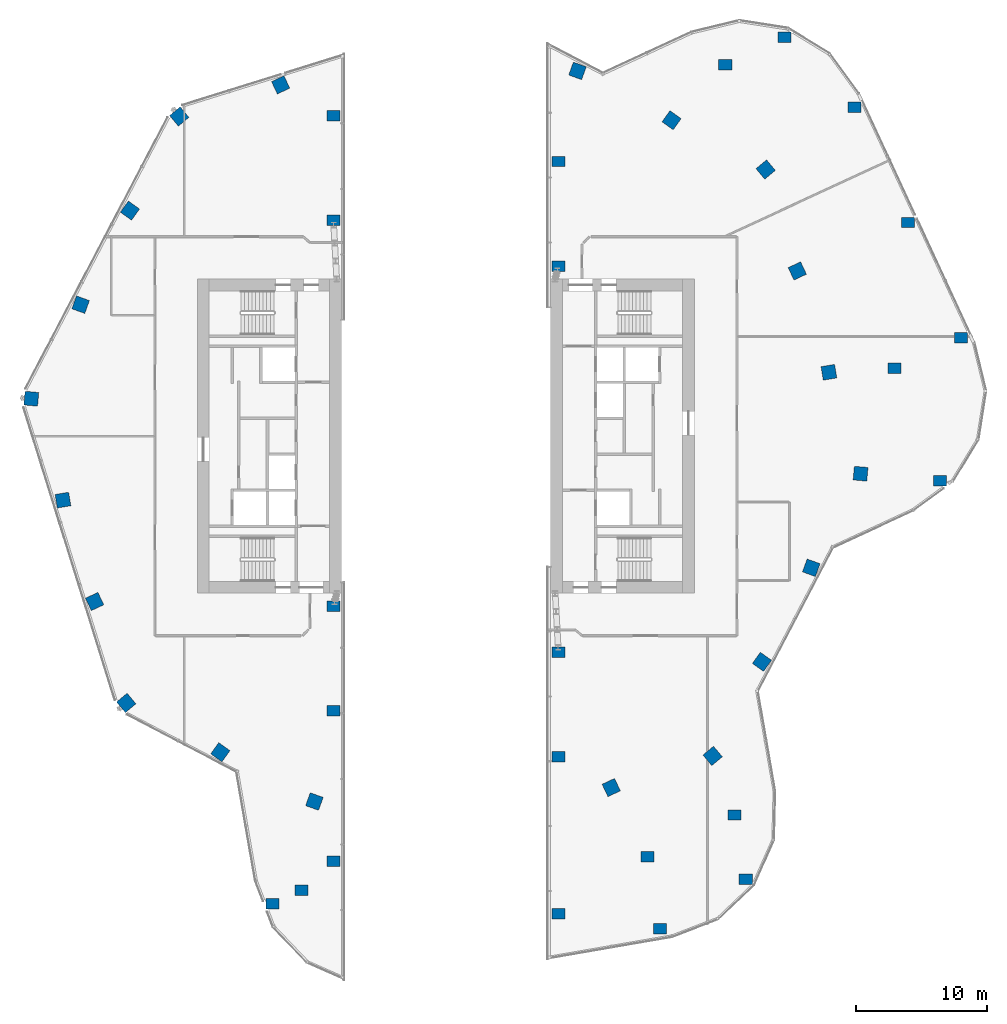
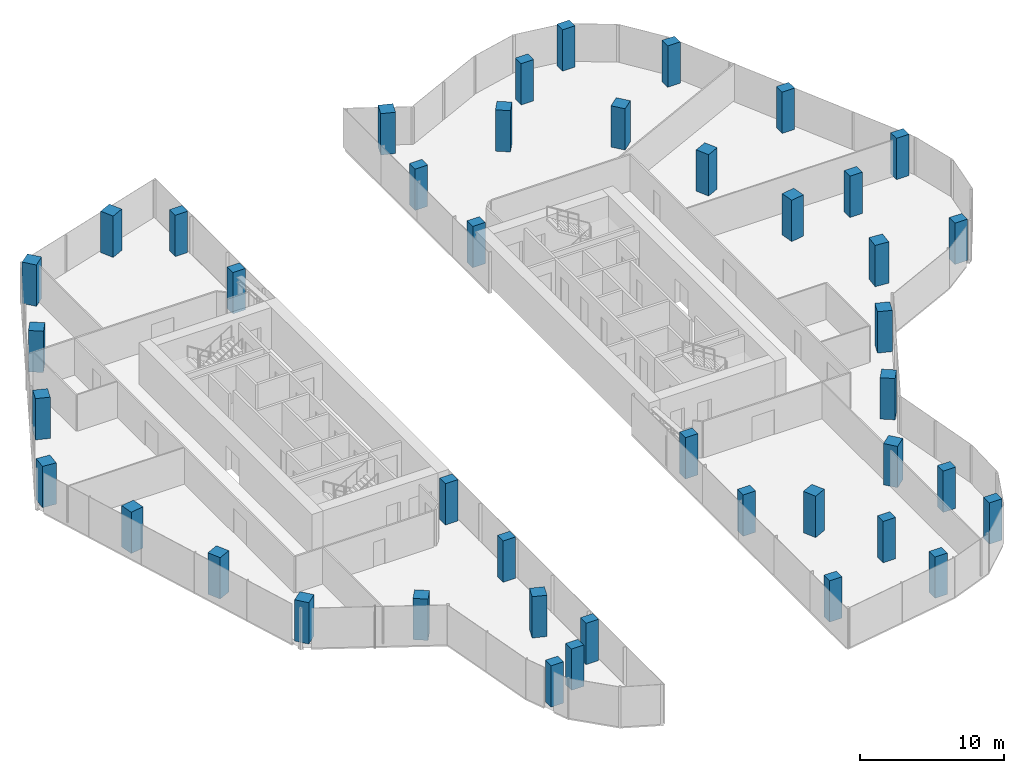
# One storey, part 1 of 23: 43 columns.
"""IFC4 building model written with IfcOpenShell, lengths in metres."""

from ifc_helpers import new_model, si_unit, direction, frame, origin, origin_2d, place, context, subcontext, project, spatial, rectangle, extrude, material, material_profile, profile_set, type_object, element, save


model = new_model("IFC4")

# Units and contexts
model_context = context("Model", 3, precision=1e-05, world=origin(), true_north=direction((0.0, 1.0)))
body_context = subcontext(model_context, "Body", "Model", "MODEL_VIEW")
ifc_project = project(units=[si_unit("LENGTHUNIT", "METRE"), si_unit("AREAUNIT", "SQUARE_METRE"), si_unit("VOLUMEUNIT", "CUBIC_METRE"), si_unit("PLANEANGLEUNIT", "RADIAN"), si_unit("MASSUNIT", "GRAM", prefix="KILO")], contexts=[model_context])

# Site, building, storey
site_placement = place(None, origin())
site = spatial("IfcSite", under=ifc_project, at=site_placement, CompositionType="ELEMENT")
building_placement = place(site_placement, origin())
building = spatial("IfcBuilding", under=site, at=building_placement, Name="Orlundy Tower", CompositionType="ELEMENT")
storey_placement = place(building_placement, frame((0.0, 0.0, 260.5)))
storey = spatial("IfcBuildingStorey", under=building, at=storey_placement, Name="L69", CompositionType="ELEMENT", Elevation=260.5)

# Columns
ifc_material_1 = material(Name="Concrete C60/75", Category="concrete")
ifc_material_profile_1 = material_profile(ifc_material_1, rectangle(XDim=1.0, YDim=0.800048828125, at=origin_2d()), Name="RC1000X800")
ifc_profile_set_1 = profile_set([ifc_material_profile_1], Name="Concrete C60/75")
column_type_1 = type_object("IfcColumnType", Name="RC COLUMN RC1000X800 C60/75", PredefinedType="COLUMN", material=ifc_profile_set_1)
for number, where, z_axis, x_axis, name in (
    (1, (37.758056640625, -3.389892578125, 0.0), (0.0, 0.0, 1.0), (1.0, 0.0, 0.0), "Column C-A1-1 L69"),
    (2, (39.376953125, 7.533935546875, 0.0), (0.0, 0.0, 1.0), (1.0, 0.0, 0.0), "Column C-A2-5 L69"),
    (3, (34.294921875, 5.181884765625, 0.0), (0.0, 0.0, 1.0), (1.0, 0.0, 0.0), "Column C-A2-6 L69"),
    (4, (35.302978515625, 16.3369140625, 0.0), (0.0, 0.0, 1.0), (1.0, 0.0, 0.0), "Column C-A3-5 L69"),
    (5, (31.22900390625, 25.139892578125, 0.0), (0.0, 0.0, 1.0), (1.0, 0.0, 0.0), "Column C-A4-5 L69"),
    (6, (25.885009765625, 30.48291015625, 0.0), (0.0, 0.0, 1.0), (1.0, 0.0, 0.0), "Column C-A5-5 L69"),
    (7, (21.346923828125, 28.383056640625, 0.0), (0.0, 0.0, 1.0), (1.0, 0.0, 0.0), "Column C-A5-6 L69"),
    (8, (-13.27392578125, -35.742919921875, 0.0), (0.0, 0.0, 1.0), (1.0, 0.0, 0.0), "Column C-B1-1 L69"),
    (9, (-11.031005859375, -34.68701171875, 0.0), (0.0, 0.0, 1.0), (1.0, 0.0, 0.0), "Column C-B1-6 L69"),
    (10, (16.3720703125, -37.656982421875, 0.0), (0.0, 0.0, 1.0), (1.0, 0.0, 0.0), "Column C-B4-5 L69"),
    (11, (15.4150390625, -32.138916015625, 0.0), (0.0, 0.0, 1.0), (1.0, 0.0, 0.0), "Column C-B4-6 L69"),
    (12, (22.916015625, -33.876953125, 0.0), (0.0, 0.0, 1.0), (1.0, 0.0, 0.0), "Column C-B5-5 L69"),
    (13, (22.06201171875, -28.950927734375, 0.0), (0.0, 0.0, 1.0), (1.0, 0.0, 0.0), "Column C-B5-6 L69"),
    (14, (8.60009765625, -36.5, 0.0), (0.0, 0.0, 1.0), (1.0, 0.0, 0.0), "Column C-SE1 L69"),
    (15, (8.60009765625, -24.5, 0.0), (0.0, 0.0, 1.0), (1.0, 0.0, 0.0), "Column C-SE2 L69"),
    (16, (8.60009765625, -16.5, 0.0), (0.0, 0.0, 1.0), (1.0, 0.0, 0.0), "Column C-SE3 L69"),
    (17, (8.60009765625, 13.0, 0.0), (0.0, 0.0, 1.0), (1.0, 0.0, 0.0), "Column C-SE4 L69"),
    (18, (8.60009765625, 21.0, 0.0), (0.0, 0.0, 1.0), (1.0, 0.0, 0.0), "Column C-SE5 L69"),
    (19, (-8.60009765625, 24.5, 0.0), (0.0, 0.0, 1.0), (1.0, 0.0, 0.0), "Column C-SW1 L69"),
    (20, (-8.60009765625, 16.5, 0.0), (0.0, 0.0, 1.0), (1.0, 0.0, 0.0), "Column C-SW2 L69"),
    (21, (-8.60009765625, -13.0, 0.0), (0.0, 0.0, 1.0), (1.0, 0.0, 0.0), "Column C-SW3 L69"),
    (22, (-8.60009765625, -21.0, 0.0), (0.0, 0.0, 1.0), (1.0, 0.0, 0.0), "Column C-SW4 L69"),
    (23, (-8.60009765625, -32.5, 0.0), (0.0, 0.0, 1.0), (1.0, 0.0, 0.0), "Column C-SW5 L69"),
):
    element("IfcColumn", number, at=place(storey_placement, frame(where, z_axis=z_axis, x_axis=x_axis)), inside=storey, type_object=column_type_1, Name=name, PredefinedType="COLUMN", context=body_context, shape_type="SweptSolid", body=[
        extrude(rectangle(XDim=1.0, YDim=0.800048828125, at=origin_2d()), origin(), (0.0, 0.0, 1.0), 3.5),
    ])
ifc_material_2 = material(Name="Concrete C60/75", Category="concrete")
ifc_material_profile_2 = material_profile(ifc_material_2, rectangle(XDim=1.050048828125, YDim=1.050048828125, at=origin_2d()), Name="RC1050X1050")
ifc_profile_set_2 = profile_set([ifc_material_profile_2], Name="Concrete C60/75")
column_type_2 = type_object("IfcColumnType", Name="RC COLUMN RC1050X1050 C60/75", PredefinedType="COLUMN", material=ifc_profile_set_2)
for number, where, z_axis, x_axis, name in (
    (24, (10.055908203125, 27.923095703125, 0.0), (0.0, 0.0, 1.0), (0.338836447191, 0.940845291243, 0.0), "Column C-H02 L69"),
    (25, (17.24609375, 24.154052734375, 0.0), (0.0, 0.0, 1.0), (0.581086534119, 0.813841778152, 0.0), "Column C-H03 L69"),
    (26, (24.43701171875, 20.384033203125, 0.0), (0.0, 0.0, 1.0), (0.767914719463, 0.640552092833, 0.0), "Column C-H04 L69"),
    (27, (26.85498046875, 12.634033203125, 0.0), (0.0, 0.0, 1.0), (0.904864205273, 0.425700328888, 0.0), "Column C-H05 L69"),
    (28, (29.27392578125, 4.884033203125, 0.0), (0.0, 0.0, 1.0), (0.986366141238, 0.1645655961, 0.0), "Column C-H06 L69"),
    (29, (31.693115234375, -2.865966796875, 0.0), (0.0, 0.0, 1.0), (0.99593643405, -0.09005897696, 0.0), "Column C-H07 L69"),
    (30, (27.923095703125, -10.055908203125, 0.0), (0.0, 0.0, 1.0), (0.940845291243, -0.338836447191, 0.0), "Column C-H08 L69"),
    (31, (24.154052734375, -17.24609375, 0.0), (0.0, 0.0, 1.0), (0.813841778152, -0.581086534119, 0.0), "Column C-H09 L69"),
    (32, (20.384033203125, -24.43701171875, 0.0), (0.0, 0.0, 1.0), (0.640552092833, -0.767914719463, 0.0), "Column C-H10 L69"),
    (33, (12.634033203125, -26.85498046875, 0.0), (0.0, 0.0, 1.0), (0.425700328888, -0.904864205273, 0.0), "Column C-H11 L69"),
    (34, (-10.055908203125, -27.923095703125, 0.0), (0.0, 0.0, 1.0), (-0.338836447191, -0.940845291243, 0.0), "Column C-H14 L69"),
    (35, (-17.24609375, -24.154052734375, 0.0), (0.0, 0.0, 1.0), (-0.581086534119, -0.813841778152, 0.0), "Column C-H15 L69"),
    (36, (-24.43701171875, -20.384033203125, 0.0), (0.0, 0.0, 1.0), (-0.767914719463, -0.640552092833, 0.0), "Column C-H16 L69"),
    (37, (-26.85498046875, -12.634033203125, 0.0), (0.0, 0.0, 1.0), (-0.904864205273, -0.425700328888, 0.0), "Column C-H17 L69"),
    (38, (-29.27392578125, -4.884033203125, 0.0), (0.0, 0.0, 1.0), (-0.986366141238, -0.1645655961, 0.0), "Column C-H18 L69"),
    (39, (-31.693115234375, 2.865966796875, 0.0), (0.0, 0.0, 1.0), (-0.99593643405, 0.09005897696, 0.0), "Column C-H19 L69"),
    (40, (-27.923095703125, 10.055908203125, 0.0), (0.0, 0.0, 1.0), (-0.940845291243, 0.338836447191, 0.0), "Column C-H20 L69"),
    (41, (-24.154052734375, 17.24609375, 0.0), (0.0, 0.0, 1.0), (-0.813841778152, 0.581086534119, 0.0), "Column C-H21 L69"),
    (42, (-20.384033203125, 24.43701171875, 0.0), (0.0, 0.0, 1.0), (-0.640552092833, 0.767914719463, 0.0), "Column C-H22 L69"),
    (43, (-12.634033203125, 26.85498046875, 0.0), (0.0, 0.0, 1.0), (-0.425700328888, 0.904864205273, 0.0), "Column C-H23 L69"),
):
    element("IfcColumn", number, at=place(storey_placement, frame(where, z_axis=z_axis, x_axis=x_axis)), inside=storey, type_object=column_type_2, Name=name, PredefinedType="COLUMN", context=body_context, shape_type="SweptSolid", body=[
        extrude(rectangle(XDim=1.050048828125, YDim=1.050048828125, at=origin_2d()), origin(), (0.0, 0.0, 1.0), 3.5),
    ])

save(model, "model.ifc")
